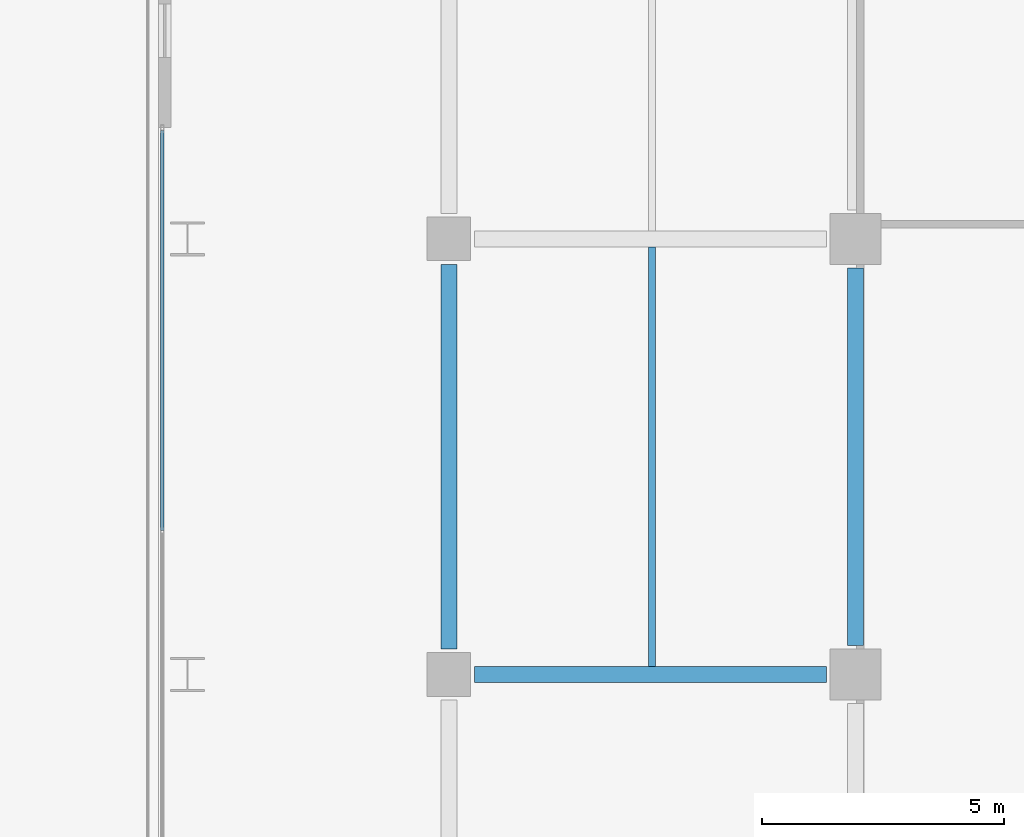
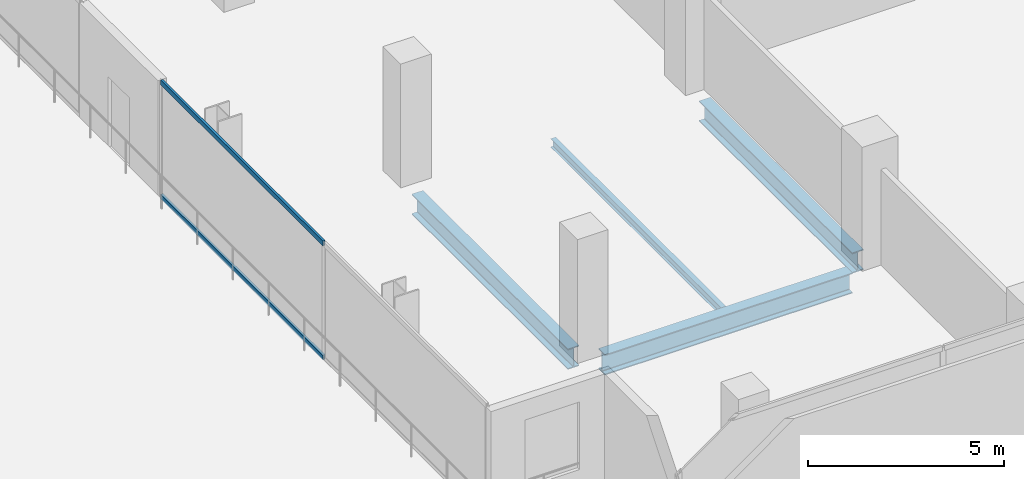
# One storey, part 5 of 31: 4 beams, 2 members, 1 element without a shape of its own.
"""IFC4 building model written with IfcOpenShell, lengths in metres."""

from ifc_helpers import new_model, si_unit, direction, frame, origin, origin_2d, place, context, subcontext, project, spatial, hollow_rectangle, i_section, extrude, material, layer, layer_set, material_profile, profile_set, type_object, element, aggregate, save


model = new_model("IFC4")

# Units and contexts
model_context = context("Model", 3, precision=1e-05, world=origin(), true_north=direction((0.0, 1.0)))
body_context = subcontext(model_context, "Body", "Model", "MODEL_VIEW")
ifc_project = project(units=[si_unit("LENGTHUNIT", "METRE"), si_unit("AREAUNIT", "SQUARE_METRE"), si_unit("VOLUMEUNIT", "CUBIC_METRE"), si_unit("PLANEANGLEUNIT", "RADIAN"), si_unit("MASSUNIT", "GRAM", prefix="KILO")], contexts=[model_context])

# Site, building, storey
site_placement = place(None, origin())
site = spatial("IfcSite", under=ifc_project, at=site_placement, CompositionType="ELEMENT")
building_placement = place(site_placement, origin())
building = spatial("IfcBuilding", under=site, at=building_placement, Name="Maruvema Waterfront Hotel and Observation Tower", CompositionType="ELEMENT")
storey_placement = place(building_placement, frame((0.0, 0.0, 26.949951171875)))
storey = spatial("IfcBuildingStorey", under=building, at=storey_placement, Name="L05", CompositionType="ELEMENT", Elevation=26.949951171875)

# Curtain wall, members
ifc_material_1 = material(Name="Anodised bronze aluminium and solar-control low-E IGU", Category="aluminium")
ifc_layer = layer(ifc_material_1, 0.159912109375, Name="Zone 1 Bronze Inner Thermal Curtain Wall System CW-02")
ifc_layer_set = layer_set([ifc_layer], Name="Anodised bronze aluminium and solar-control low-E IGU")
curtain_wall_type = type_object("IfcCurtainWallType", Name="Zone 1 Bronze Inner Thermal Curtain Wall System CW-02", PredefinedType="USERDEFINED", material=ifc_layer_set)
curtain_wall_placement = place(storey_placement, origin())
curtain_wall = element("IfcCurtainWall", 1, at=curtain_wall_placement, inside=storey, type_object=curtain_wall_type, Name="L05 Curtain Wall CW-L05-WS", ObjectType="UNITISED CURTAIN WALL", PredefinedType="USERDEFINED")
ifc_material_2 = material(Name="Anodised architectural bronze aluminium", Category="aluminium")
ifc_material_profile_1 = material_profile(ifc_material_2, hollow_rectangle(XDim=0.070068359375, YDim=0.14990234375, WallThickness=0.00390625, at=origin_2d()), Name="ALU-T70x150")
ifc_profile_set_1 = profile_set([ifc_material_profile_1], Name="Anodised architectural bronze aluminium")
member_type = type_object("IfcMemberType", Name="Curtain Wall Horizontal Transom ALU-T70x150", PredefinedType="USERDEFINED", material=ifc_profile_set_1)
member_1_placement = place(storey_placement, frame((10.8798828125, 20.239990234375, 0.030029296875), z_axis=(0.0, -1.0, 0.0), x_axis=(1.0, 0.0, 0.0)))
member_1 = element("IfcMember", 2, at=member_1_placement, type_object=member_type, Name="CW-02 transom 1.1", ObjectType="TRANSOM", PredefinedType="USERDEFINED", context=body_context, shape_type="SweptSolid", body=[
    extrude(hollow_rectangle(XDim=0.070068359375, YDim=0.14990234375, WallThickness=0.00390625, at=origin_2d()), origin(), (0.0, 0.0, 1.0), 8.260009765625),
])
member_2_placement = place(storey_placement, frame((10.8798828125, 20.239990234375, 3.580078125), z_axis=(0.0, -1.0, 0.0), x_axis=(1.0, 0.0, 0.0)))
member_2 = element("IfcMember", 3, at=member_2_placement, type_object=member_type, Name="CW-02 transom 1.2", ObjectType="TRANSOM", PredefinedType="USERDEFINED", context=body_context, shape_type="SweptSolid", body=[
    extrude(hollow_rectangle(XDim=0.070068359375, YDim=0.14990234375, WallThickness=0.00390625, at=origin_2d()), origin(), (0.0, 0.0, 1.0), 8.260009765625),
])
aggregate(curtain_wall, [member_1, member_2])

# Beams
ifc_material_3 = material(Name="Steel ASTM A572 Grade 50", Category="steel")
ifc_material_profile_2 = material_profile(ifc_material_3, i_section(OverallWidth=0.3291015625, OverallDepth=0.635009765625, WebThickness=0.017822265625, FlangeThickness=0.031005859375, FilletRadius=0.01806640625, at=origin_2d()), Name="W610x241.0")
ifc_profile_set_2 = profile_set([ifc_material_profile_2], Name="Steel ASTM A572 Grade 50")
beam_type_1 = type_object("IfcBeamType", Name="Primary Floor Girder W610x241.0", PredefinedType="BEAM", material=ifc_profile_set_2)
beam_1_placement = place(storey_placement, frame((17.324951171875, 9.0, -0.557373046875), z_axis=(1.0, 0.0, 0.0), x_axis=(0.0, 1.0, 0.0)))
element("IfcBeam", 4, at=beam_1_placement, inside=storey, type_object=beam_type_1, Name="L05 Floor Girder EW-08", PredefinedType="BEAM", context=body_context, shape_type="SweptSolid", body=[
    extrude(i_section(OverallWidth=0.3291015625, OverallDepth=0.635009765625, WebThickness=0.017822265625, FlangeThickness=0.031005859375, FilletRadius=0.01806640625, at=origin_2d()), origin(), (0.0, 0.0, 1.0), 7.275146484375),
])
beam_2_placement = place(storey_placement, frame((16.800048828125, 9.52490234375, -0.557373046875), z_axis=(0.0, 1.0, 0.0), x_axis=(-1.0, 0.0, 0.0)))
element("IfcBeam", 5, at=beam_2_placement, inside=storey, type_object=beam_type_1, Name="L05 Floor Girder NS-02", PredefinedType="BEAM", context=body_context, shape_type="SweptSolid", body=[
    extrude(i_section(OverallWidth=0.3291015625, OverallDepth=0.635009765625, WebThickness=0.017822265625, FlangeThickness=0.031005859375, FilletRadius=0.01806640625, at=origin_2d()), origin(), (0.0, 0.0, 1.0), 7.9501953125),
])
beam_3_placement = place(storey_placement, frame((25.199951171875, 9.60009765625, -0.557373046875), z_axis=(0.0, 1.0, 0.0), x_axis=(-1.0, 0.0, 0.0)))
element("IfcBeam", 6, at=beam_3_placement, inside=storey, type_object=beam_type_1, Name="L05 Floor Girder NS-08", PredefinedType="BEAM", context=body_context, shape_type="SweptSolid", body=[
    extrude(i_section(OverallWidth=0.3291015625, OverallDepth=0.635009765625, WebThickness=0.017822265625, FlangeThickness=0.031005859375, FilletRadius=0.01806640625, at=origin_2d()), origin(), (0.0, 0.0, 1.0), 7.7998046875),
])
ifc_material_4 = material(Name="Steel ASTM A572 Grade 50", Category="steel")
ifc_material_profile_3 = material_profile(ifc_material_4, i_section(OverallWidth=0.14794921875, OverallDepth=0.26611328125, WebThickness=0.007568359375, FlangeThickness=0.012939453125, FilletRadius=0.012939453125, at=origin_2d()), Name="W250x44.8")
ifc_profile_set_3 = profile_set([ifc_material_profile_3], Name="Steel ASTM A572 Grade 50")
beam_type_2 = type_object("IfcBeamType", Name="Secondary Floor Joist W250x44.8", PredefinedType="JOIST", material=ifc_profile_set_3)
beam_4_placement = place(storey_placement, frame((21.0, 9.16455078125, -0.373046875), z_axis=(0.0, 1.0, 0.0), x_axis=(-1.0, 0.0, 0.0)))
element("IfcBeam", 7, at=beam_4_placement, inside=storey, type_object=beam_type_2, Name="L05 Secondary Floor Joist JS-01", PredefinedType="JOIST", context=body_context, shape_type="SweptSolid", body=[
    extrude(i_section(OverallWidth=0.14794921875, OverallDepth=0.26611328125, WebThickness=0.007568359375, FlangeThickness=0.012939453125, FilletRadius=0.012939453125, at=origin_2d()), origin(), (0.0, 0.0, 1.0), 8.6708984375),
])

save(model, "model.ifc")
